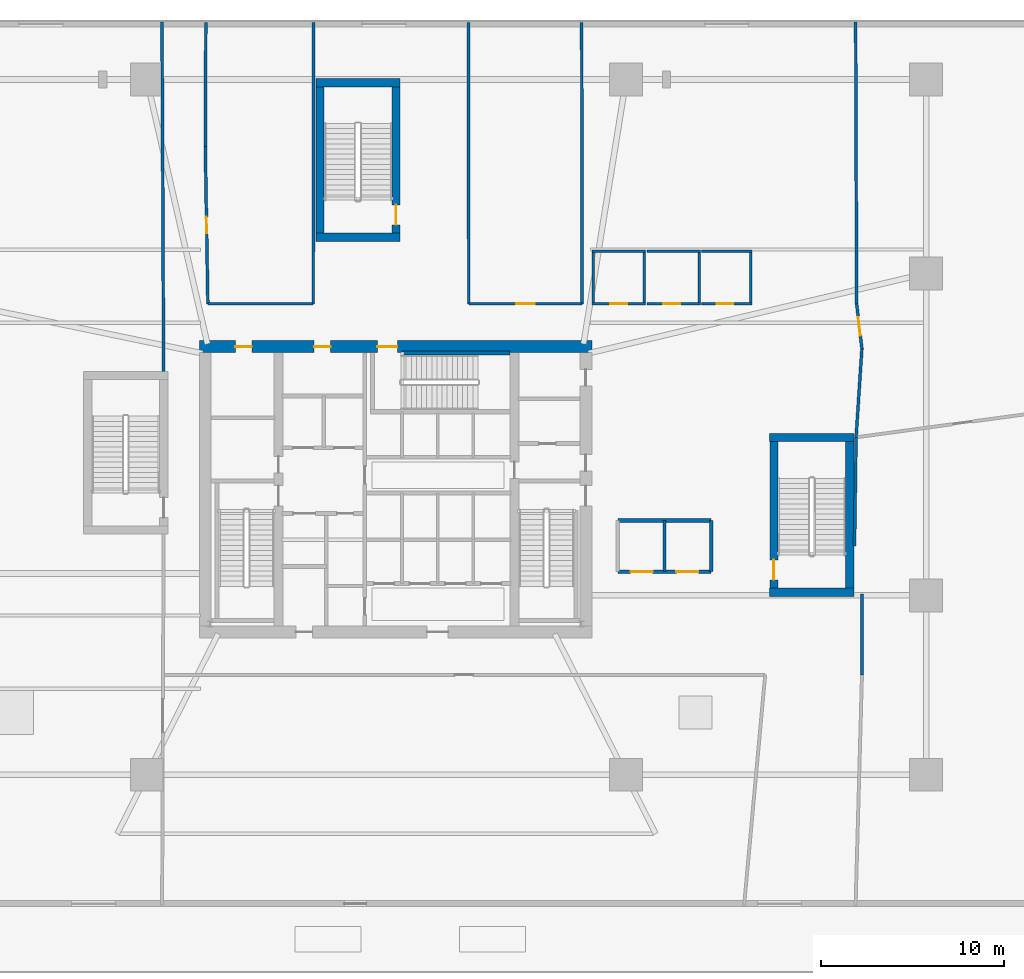
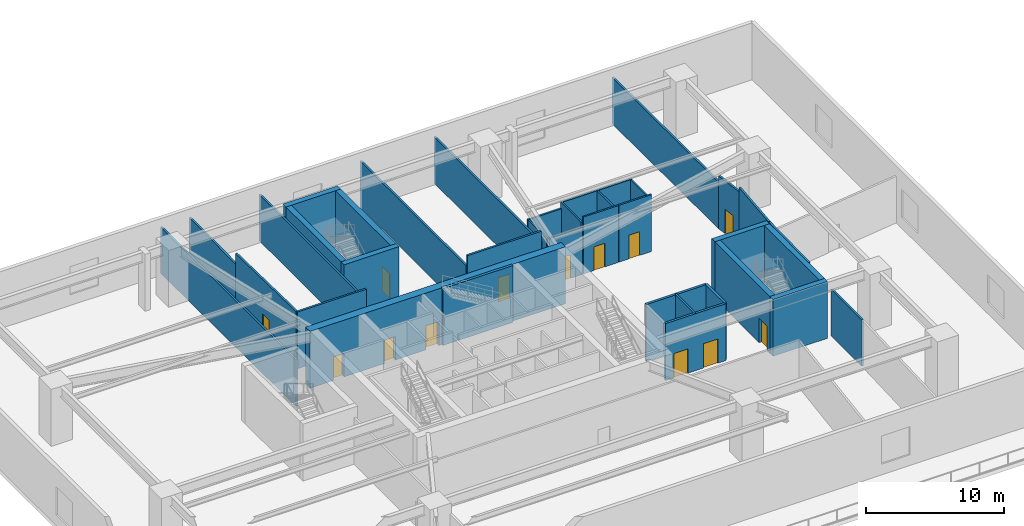
# One storey, part 6 of 11: 37 walls, 13 doors, 13 openings.
"""IFC4 building model written with IfcOpenShell, lengths in metres."""

from ifc_helpers import new_model, si_unit, direction, frame, frame_2d, origin, place, context, subcontext, project, spatial, rectangle, extrude, material, layer, layer_set, type_object, element, fill, save


model = new_model("IFC4")

# Units and contexts
model_context = context("Model", 3, precision=1e-05, world=origin(), true_north=direction((0.0, 1.0)))
body_context = subcontext(model_context, "Body", "Model", "MODEL_VIEW")
ifc_project = project(units=[si_unit("LENGTHUNIT", "METRE"), si_unit("AREAUNIT", "SQUARE_METRE"), si_unit("VOLUMEUNIT", "CUBIC_METRE"), si_unit("PLANEANGLEUNIT", "RADIAN"), si_unit("MASSUNIT", "GRAM", prefix="KILO")], contexts=[model_context])

# Site, building, storey
site_placement = place(None, origin())
site = spatial("IfcSite", under=ifc_project, at=site_placement, CompositionType="ELEMENT")
building_placement = place(site_placement, origin())
building = spatial("IfcBuilding", under=site, at=building_placement, Name="Qarnah Convention Tower", CompositionType="ELEMENT")
storey_placement = place(building_placement, frame((0.0, 0.0, 5.39990234375)))
storey = spatial("IfcBuildingStorey", under=building, at=storey_placement, Name="L01", CompositionType="ELEMENT", Elevation=5.39990234375)

# Wall, openings, doors
ifc_material_1 = material(Name="Concrete C60/75", Category="concrete")
ifc_layer_1 = layer(ifc_material_1, 0.64990234375)
ifc_layer_set_1 = layer_set([ifc_layer_1], Name="Concrete C60/75")
wall_type_1 = type_object("IfcWallType", Name="WL-CORE-650", PredefinedType="SHEAR", material=ifc_layer_set_1)
wall_1_placement = place(storey_placement, frame((26.47509765625, 34.199951171875, 0.0), z_axis=(0.0, 0.0, 1.0), x_axis=(1.0, 0.0, 0.0)))
wall_1 = element("IfcWall", 1, at=wall_1_placement, inside=storey, type_object=wall_type_1, Name="L01 core north shear wall", PredefinedType="SHEAR", context=body_context, shape_type="SweptSolid", body=[
    extrude(rectangle(XDim=21.449951171875, YDim=0.64990234375, at=frame_2d((10.72509765625, 0.0))), origin(), (0.0, 0.0, 1.0), 5.050048828125),
])
opening_1_placement = place(wall_1_placement, frame((9.72509765625, 0.0, 0.0)))
opening_1 = element("IfcOpeningElement", 2, at=opening_1_placement, cuts=wall_1, Name="Opening D-0103", PredefinedType="OPENING", context=body_context, shape_type="SweptSolid", body=[
    extrude(rectangle(XDim=1.10009765625, YDim=2.14990234375, at=frame_2d((0.550048828125, 1.074951171875))), frame((0.0, 0.3349609375, 0.0), z_axis=(0.0, -1.0, 0.0), x_axis=(1.0, 0.0, 0.0)), (0.0, 0.0, 1.0), 0.669921875),
])
opening_2_placement = place(wall_1_placement, frame((1.97509765625, 0.0, 0.0)))
opening_2 = element("IfcOpeningElement", 3, at=opening_2_placement, cuts=wall_1, Name="Opening D-0109", PredefinedType="OPENING", context=body_context, shape_type="SweptSolid", body=[
    extrude(rectangle(XDim=0.89990234375, YDim=2.10009765625, at=frame_2d((0.449951171875, 1.050048828125))), frame((0.0, 0.3349609375, 0.0), z_axis=(0.0, -1.0, 0.0), x_axis=(1.0, 0.0, 0.0)), (0.0, 0.0, 1.0), 0.669921875),
])
opening_3_placement = place(wall_1_placement, frame((6.27490234375, 0.0, 0.0)))
opening_3 = element("IfcOpeningElement", 4, at=opening_3_placement, cuts=wall_1, Name="Opening D-0110", PredefinedType="OPENING", context=body_context, shape_type="SweptSolid", body=[
    extrude(rectangle(XDim=0.89990234375, YDim=2.10009765625, at=frame_2d((0.449951171875, 1.050048828125))), frame((0.0, 0.3349609375, 0.0), z_axis=(0.0, -1.0, 0.0), x_axis=(1.0, 0.0, 0.0)), (0.0, 0.0, 1.0), 0.669921875),
])
ifc_material_2 = material(Name="Structural steel S355JR", Category="steel")
door_type_1 = type_object("IfcDoorType", Name="DT-RISER-900", OperationType="NOTDEFINED", PredefinedType="DOOR", material=ifc_material_2)
door_1_placement = place(opening_2_placement, origin())
door_1 = element("IfcDoor", 5, at=door_1_placement, inside=storey, type_object=door_type_1, Name="Door D-0109", OperationType="SINGLE_SWING_RIGHT", OverallHeight=2.10009765625, OverallWidth=0.89990234375, PredefinedType="DOOR", context=body_context, shape_type="SweptSolid", body=[
    extrude(rectangle(XDim=0.89990234375, YDim=2.10009765625, at=frame_2d((0.449951171875, 1.050048828125))), frame((0.0, 0.02490234375, 0.0), z_axis=(0.0, -1.0, 0.0), x_axis=(1.0, 0.0, 0.0)), (0.0, 0.0, 1.0), 0.050048828125),
])
fill(opening_2, door_1)
door_2_placement = place(opening_3_placement, origin())
door_2 = element("IfcDoor", 6, at=door_2_placement, inside=storey, type_object=door_type_1, Name="Door D-0110", OperationType="SINGLE_SWING_LEFT", OverallHeight=2.10009765625, OverallWidth=0.89990234375, PredefinedType="DOOR", context=body_context, shape_type="SweptSolid", body=[
    extrude(rectangle(XDim=0.89990234375, YDim=2.10009765625, at=frame_2d((0.449951171875, 1.050048828125))), frame((0.0, 0.02490234375, 0.0), z_axis=(0.0, -1.0, 0.0), x_axis=(1.0, 0.0, 0.0)), (0.0, 0.0, 1.0), 0.050048828125),
])
fill(opening_3, door_2)
door_type_2 = type_object("IfcDoorType", Name="DT-STAIR-1100", OperationType="NOTDEFINED", PredefinedType="DOOR", material=ifc_material_2)
door_3_placement = place(opening_1_placement, origin())
door_3 = element("IfcDoor", 7, at=door_3_placement, inside=storey, type_object=door_type_2, Name="Door D-0103", OperationType="SINGLE_SWING_RIGHT", OverallHeight=2.14990234375, OverallWidth=1.10009765625, PredefinedType="DOOR", context=body_context, shape_type="SweptSolid", body=[
    extrude(rectangle(XDim=1.10009765625, YDim=2.14990234375, at=frame_2d((0.550048828125, 1.074951171875))), frame((0.0, 0.02490234375, 0.0), z_axis=(0.0, -1.0, 0.0), x_axis=(1.0, 0.0, 0.0)), (0.0, 0.0, 1.0), 0.050048828125),
])
fill(opening_1, door_3)

# Wall
ifc_material_3 = material(Name="Concrete C45/55", Category="concrete")
ifc_layer_2 = layer(ifc_material_3, 0.199951171875)
ifc_layer_set_2 = layer_set([ifc_layer_2], Name="Concrete C45/55")
wall_type_2 = type_object("IfcWallType", Name="WL-CORE-PART-200", PredefinedType="SOLIDWALL", material=ifc_layer_set_2)
wall_2_placement = place(storey_placement, frame((49.35009765625, 24.699951171875, 0.0), z_axis=(0.0, 0.0, 1.0), x_axis=(1.0, 0.0, 0.0)))
element("IfcWall", 8, at=wall_2_placement, inside=storey, type_object=wall_type_2, Name="L01 interior wall IW-L01-PSN", PredefinedType="SOLIDWALL", context=body_context, shape_type="SweptSolid", body=[
    extrude(rectangle(XDim=5.099853515625, YDim=0.199951171875, at=frame_2d((2.5498046875, 0.0))), origin(), (0.0, 0.0, 1.0), 5.050048828125),
])

# Wall, openings, doors
wall_3_placement = place(storey_placement, frame((49.35009765625, 21.89990234375, 0.0), z_axis=(0.0, 0.0, 1.0), x_axis=(1.0, 0.0, 0.0)))
wall_3 = element("IfcWall", 9, at=wall_3_placement, inside=storey, type_object=wall_type_2, Name="L01 interior wall IW-L01-PSS", PredefinedType="SOLIDWALL", context=body_context, shape_type="SweptSolid", body=[
    extrude(rectangle(XDim=5.099853515625, YDim=0.199951171875, at=frame_2d((2.5498046875, 0.0))), origin(), (0.0, 0.0, 1.0), 5.050048828125),
])
opening_4_placement = place(wall_3_placement, frame((0.699951171875, 0.0, 0.0)))
opening_4 = element("IfcOpeningElement", 10, at=opening_4_placement, cuts=wall_3, Name="Opening LD-0108", PredefinedType="OPENING", context=body_context, shape_type="SweptSolid", body=[
    extrude(rectangle(XDim=1.199951171875, YDim=2.14990234375, at=frame_2d((0.60009765625, 1.074951171875))), frame((0.0, 0.10986328125, 0.0), z_axis=(0.0, -1.0, 0.0), x_axis=(1.0, 0.0, 0.0)), (0.0, 0.0, 1.0), 0.219970703125),
])
opening_5_placement = place(wall_3_placement, frame((3.199951171875, 0.0, 0.0)))
opening_5 = element("IfcOpeningElement", 11, at=opening_5_placement, cuts=wall_3, Name="Opening LD-0109", PredefinedType="OPENING", context=body_context, shape_type="SweptSolid", body=[
    extrude(rectangle(XDim=1.199951171875, YDim=2.14990234375, at=frame_2d((0.60009765625, 1.074951171875))), frame((0.0, 0.10986328125, 0.0), z_axis=(0.0, -1.0, 0.0), x_axis=(1.0, 0.0, 0.0)), (0.0, 0.0, 1.0), 0.219970703125),
])
door_type_3 = type_object("IfcDoorType", Name="DT-LIFT-1200", OperationType="SLIDING_TO_LEFT", PredefinedType="DOOR", material=ifc_material_2)
door_4_placement = place(opening_4_placement, origin())
door_4 = element("IfcDoor", 12, at=door_4_placement, inside=storey, type_object=door_type_3, Name="Door LD-0108", OperationType="SLIDING_TO_LEFT", OverallHeight=2.14990234375, OverallWidth=1.199951171875, PredefinedType="DOOR", context=body_context, shape_type="SweptSolid", body=[
    extrude(rectangle(XDim=1.199951171875, YDim=2.14990234375, at=frame_2d((0.60009765625, 1.074951171875))), frame((0.0, 0.02490234375, 0.0), z_axis=(0.0, -1.0, 0.0), x_axis=(1.0, 0.0, 0.0)), (0.0, 0.0, 1.0), 0.050048828125),
])
fill(opening_4, door_4)
door_5_placement = place(opening_5_placement, origin())
door_5 = element("IfcDoor", 13, at=door_5_placement, inside=storey, type_object=door_type_3, Name="Door LD-0109", OperationType="SLIDING_TO_LEFT", OverallHeight=2.14990234375, OverallWidth=1.199951171875, PredefinedType="DOOR", context=body_context, shape_type="SweptSolid", body=[
    extrude(rectangle(XDim=1.199951171875, YDim=2.14990234375, at=frame_2d((0.60009765625, 1.074951171875))), frame((0.0, 0.02490234375, 0.0), z_axis=(0.0, -1.0, 0.0), x_axis=(1.0, 0.0, 0.0)), (0.0, 0.0, 1.0), 0.050048828125),
])
fill(opening_5, door_5)

# Walls
wall_4_placement = place(storey_placement, frame((54.449951171875, 21.89990234375, 0.0), z_axis=(0.0, 0.0, 1.0), x_axis=(0.0, 1.0, 0.0)))
element("IfcWall", 14, at=wall_4_placement, inside=storey, type_object=wall_type_2, Name="L01 interior wall IW-L01-PSE", PredefinedType="SOLIDWALL", context=body_context, shape_type="SweptSolid", body=[
    extrude(rectangle(XDim=2.800048828125, YDim=0.199951171875, at=frame_2d((1.39990234375, 0.0))), origin(), (0.0, 0.0, 1.0), 5.050048828125),
])
ifc_layer_3 = layer(ifc_material_1, 0.219970703125)
ifc_layer_set_3 = layer_set([ifc_layer_3], Name="Concrete C60/75")
wall_type_3 = type_object("IfcWallType", Name="WL-CORE-STAIR-220", PredefinedType="SHEAR", material=ifc_layer_set_3)
wall_5_placement = place(storey_placement, frame((37.550048828125, 33.840087890625, 0.0), z_axis=(0.0, 0.0, 1.0), x_axis=(1.0, 0.0, 0.0)))
element("IfcWall", 15, at=wall_5_placement, inside=storey, type_object=wall_type_3, Name="L01 stair shaft shear wall SW-L01-ST3N", PredefinedType="SHEAR", context=body_context, shape_type="SweptSolid", body=[
    extrude(rectangle(XDim=5.89990234375, YDim=0.219970703125, at=frame_2d((2.949951171875, 0.0))), origin(), (0.0, 0.0, 1.0), 5.050048828125),
])
ifc_material_4 = material(Name="Gypsum partition board")
ifc_layer_4 = layer(ifc_material_4, 0.159912109375)
ifc_layer_set_4 = layer_set([ifc_layer_4], Name="Gypsum partition board")
wall_type_4 = type_object("IfcWallType", Name="WL-CORR-160", PredefinedType="PARTITIONING", material=ifc_layer_set_4)
wall_6_placement = place(storey_placement, frame((24.52490234375, 32.39990234375, 0.0), z_axis=(0.0, 0.0, 1.0), x_axis=(-0.004550692375, 0.999989645546, 0.0)))
element("IfcWall", 16, at=wall_6_placement, inside=storey, type_object=wall_type_4, Name="L01 interior wall IW-L01-R-12", PredefinedType="PARTITIONING", context=body_context, shape_type="SweptSolid", body=[
    extrude(rectangle(XDim=19.5283203125, YDim=0.159912109375, at=frame_2d((9.76416015625, 0.0))), origin(), (0.0, 0.0, 1.0), 4.123046875),
])
wall_7_placement = place(storey_placement, frame((62.366943359375, 29.240966796875, 0.0), z_axis=(0.0, 0.0, 1.0), x_axis=(-0.013825270041, -0.999904426387, 0.0)))
element("IfcWall", 17, at=wall_7_placement, inside=storey, type_object=wall_type_4, Name="L01 interior wall IW-L01-R-16", PredefinedType="PARTITIONING", context=body_context, shape_type="SweptSolid", body=[
    extrude(rectangle(XDim=5.933349609375, YDim=0.159912109375, at=frame_2d((2.966796875, 0.0))), origin(), (0.0, 0.0, 1.0), 5.050048828125),
])
wall_8_placement = place(storey_placement, frame((62.68994140625, 20.68994140625, 0.0), z_axis=(0.0, 0.0, 1.0), x_axis=(0.0, -1.0, 0.0)))
element("IfcWall", 18, at=wall_8_placement, inside=storey, type_object=wall_type_4, Name="L01 interior wall IW-L01-R-17", PredefinedType="PARTITIONING", context=body_context, shape_type="SweptSolid", body=[
    extrude(rectangle(XDim=4.429931640625, YDim=0.159912109375, at=frame_2d((2.21484375, 0.0))), origin(), (0.0, 0.0, 1.0), 4.135009765625),
])
wall_9_placement = place(storey_placement, frame((62.343994140625, 51.943115234375, 0.0), z_axis=(0.0, 0.0, 1.0), x_axis=(0.003629653858, -0.999993412785, 0.0)))
element("IfcWall", 19, at=wall_9_placement, inside=storey, type_object=wall_type_4, Name="L01 interior wall IW-L01-R-19", PredefinedType="PARTITIONING", context=body_context, shape_type="SweptSolid", body=[
    extrude(rectangle(XDim=15.403076171875, YDim=0.159912109375, at=frame_2d((7.70166015625, 0.0))), origin(), (0.0, 0.0, 1.0), 4.123046875),
])

# Wall, opening, door
wall_10_placement = place(storey_placement, frame((62.39990234375, 36.5400390625, 0.0), z_axis=(0.0, 0.0, 1.0), x_axis=(0.116160443909, -0.993230462315, 0.0)))
wall_10 = element("IfcWall", 20, at=wall_10_placement, inside=storey, type_object=wall_type_4, Name="L01 interior wall IW-L01-R-20", PredefinedType="PARTITIONING", context=body_context, shape_type="SweptSolid", body=[
    extrude(rectangle(XDim=2.496826171875, YDim=0.159912109375, at=frame_2d((1.24853515625, 0.0))), origin(), (0.0, 0.0, 1.0), 4.67919921875),
])
opening_6_placement = place(wall_10_placement, frame((0.748046875, 0.0, 0.0)))
opening_6 = element("IfcOpeningElement", 21, at=opening_6_placement, cuts=wall_10, Name="Opening D-0125", PredefinedType="OPENING", context=body_context, shape_type="SweptSolid", body=[
    extrude(rectangle(XDim=1.0, YDim=2.14990234375, at=frame_2d((0.5, 1.074951171875))), frame((0.0, 0.08984375, 0.0), z_axis=(0.0, -1.0, 0.0), x_axis=(1.0, 0.0, 0.0)), (0.0, 0.0, 1.0), 0.179931640625),
])
ifc_material_5 = material(Name="Oak timber veneer", Category="wood")
door_type_4 = type_object("IfcDoorType", Name="DT-OFFICE-1000", OperationType="NOTDEFINED", PredefinedType="DOOR", material=ifc_material_5)
door_6_placement = place(opening_6_placement, origin())
door_6 = element("IfcDoor", 22, at=door_6_placement, inside=storey, type_object=door_type_4, Name="Door D-0125", OperationType="SINGLE_SWING_LEFT", OverallHeight=2.14990234375, OverallWidth=1.0, PredefinedType="DOOR", context=body_context, shape_type="SweptSolid", body=[
    extrude(rectangle(XDim=1.0, YDim=2.14990234375, at=frame_2d((0.5, 1.074951171875))), frame((0.0, 0.02490234375, 0.0), z_axis=(0.0, -1.0, 0.0), x_axis=(1.0, 0.0, 0.0)), (0.0, 0.0, 1.0), 0.050048828125),
])
fill(opening_6, door_6)

# Walls
wall_11_placement = place(storey_placement, frame((62.68603515625, 34.093017578125, 0.0), z_axis=(0.0, 0.0, 1.0), x_axis=(-0.065222606915, -0.997870738897, 0.0)))
element("IfcWall", 23, at=wall_11_placement, inside=storey, type_object=wall_type_4, Name="L01 interior wall IW-L01-R-21", PredefinedType="PARTITIONING", context=body_context, shape_type="SweptSolid", body=[
    extrude(rectangle(XDim=4.8623046875, YDim=0.159912109375, at=frame_2d((2.43115234375, 0.0))), origin(), (0.0, 0.0, 1.0), 5.050048828125),
])
wall_12_placement = place(storey_placement, frame((41.18798828125, 51.9208984375, 0.0), z_axis=(0.0, 0.0, 1.0), x_axis=(0.000777777543, -0.999999697531, 0.0)))
element("IfcWall", 24, at=wall_12_placement, inside=storey, type_object=wall_type_4, Name="L01 interior wall IW-L01-R-22", PredefinedType="PARTITIONING", context=body_context, shape_type="SweptSolid", body=[
    extrude(rectangle(XDim=15.380859375, YDim=0.159912109375, at=frame_2d((7.6904296875, 0.0))), origin(), (0.0, 0.0, 1.0), 4.123046875),
])

# Wall, opening, door
wall_13_placement = place(storey_placement, frame((41.199951171875, 36.5400390625, 0.0), z_axis=(0.0, 0.0, 1.0), x_axis=(1.0, 0.0, 0.0)))
wall_13 = element("IfcWall", 25, at=wall_13_placement, inside=storey, type_object=wall_type_4, Name="L01 interior wall IW-L01-R-23", PredefinedType="PARTITIONING", context=body_context, shape_type="SweptSolid", body=[
    extrude(rectangle(XDim=6.199951171875, YDim=0.159912109375, at=frame_2d((3.10009765625, 0.0))), origin(), (0.0, 0.0, 1.0), 5.050048828125),
])
opening_7_placement = place(wall_13_placement, frame((2.60009765625, 0.0, 0.0)))
opening_7 = element("IfcOpeningElement", 26, at=opening_7_placement, cuts=wall_13, Name="Opening D-0126", PredefinedType="OPENING", context=body_context, shape_type="SweptSolid", body=[
    extrude(rectangle(XDim=1.0, YDim=2.14990234375, at=frame_2d((0.5, 1.074951171875))), frame((0.0, 0.08984375, 0.0), z_axis=(0.0, -1.0, 0.0), x_axis=(1.0, 0.0, 0.0)), (0.0, 0.0, 1.0), 0.179931640625),
])
door_7_placement = place(opening_7_placement, origin())
door_7 = element("IfcDoor", 27, at=door_7_placement, inside=storey, type_object=door_type_4, Name="Door D-0126", OperationType="SINGLE_SWING_RIGHT", OverallHeight=2.14990234375, OverallWidth=1.0, PredefinedType="DOOR", context=body_context, shape_type="SweptSolid", body=[
    extrude(rectangle(XDim=1.0, YDim=2.14990234375, at=frame_2d((0.5, 1.074951171875))), frame((0.0, 0.02490234375, 0.0), z_axis=(0.0, -1.0, 0.0), x_axis=(1.0, 0.0, 0.0)), (0.0, 0.0, 1.0), 0.050048828125),
])
fill(opening_7, door_7)

# Walls
wall_14_placement = place(storey_placement, frame((47.39990234375, 36.5400390625, 0.0), z_axis=(0.0, 0.0, 1.0), x_axis=(-0.001935859022, 0.999998126223, 0.0)))
element("IfcWall", 28, at=wall_14_placement, inside=storey, type_object=wall_type_4, Name="L01 interior wall IW-L01-R-24", PredefinedType="PARTITIONING", context=body_context, shape_type="SweptSolid", body=[
    extrude(rectangle(XDim=15.385986328125, YDim=0.159912109375, at=frame_2d((7.69287109375, 0.0))), origin(), (0.0, 0.0, 1.0), 4.123046875),
])
wall_15_placement = place(storey_placement, frame((26.830078125, 51.926025390625, 0.0), z_axis=(0.0, 0.0, 1.0), x_axis=(-0.004425053812, -0.999990209401, 0.0)))
element("IfcWall", 29, at=wall_15_placement, inside=storey, type_object=wall_type_4, Name="L01 interior wall IW-L01-R-25", PredefinedType="PARTITIONING", context=body_context, shape_type="SweptSolid", body=[
    extrude(rectangle(XDim=6.7861328125, YDim=0.159912109375, at=frame_2d((3.39306640625, 0.0))), origin(), (0.0, 0.0, 1.0), 4.123046875),
])

# Wall, opening, door
wall_16_placement = place(storey_placement, frame((26.800048828125, 45.139892578125, 0.0), z_axis=(0.0, 0.0, 1.0), x_axis=(0.016264704162, -0.99986772095, 0.0)))
wall_16 = element("IfcWall", 30, at=wall_16_placement, inside=storey, type_object=wall_type_4, Name="L01 interior wall IW-L01-R-26", PredefinedType="PARTITIONING", context=body_context, shape_type="SweptSolid", body=[
    extrude(rectangle(XDim=8.60107421875, YDim=0.159912109375, at=frame_2d((4.300537109375, 0.0))), origin(), (0.0, 0.0, 1.0), 5.050048828125),
])
opening_8_placement = place(wall_16_placement, frame((3.85107421875, 0.0, 0.0)))
opening_8 = element("IfcOpeningElement", 31, at=opening_8_placement, cuts=wall_16, Name="Opening D-0127", PredefinedType="OPENING", context=body_context, shape_type="SweptSolid", body=[
    extrude(rectangle(XDim=0.89990234375, YDim=2.0, at=frame_2d((0.449951171875, 1.0))), frame((0.0, 0.08984375, 0.0), z_axis=(0.0, -1.0, 0.0), x_axis=(1.0, 0.0, 0.0)), (0.0, 0.0, 1.0), 0.179931640625),
])
door_type_5 = type_object("IfcDoorType", Name="DT-PLANT-900", OperationType="NOTDEFINED", PredefinedType="DOOR", material=ifc_material_2)
door_8_placement = place(opening_8_placement, origin())
door_8 = element("IfcDoor", 32, at=door_8_placement, inside=storey, type_object=door_type_5, Name="Door D-0127", OperationType="SINGLE_SWING_LEFT", OverallHeight=2.0, OverallWidth=0.89990234375, PredefinedType="DOOR", context=body_context, shape_type="SweptSolid", body=[
    extrude(rectangle(XDim=0.89990234375, YDim=2.0, at=frame_2d((0.449951171875, 1.0))), frame((0.0, 0.02490234375, 0.0), z_axis=(0.0, -1.0, 0.0), x_axis=(1.0, 0.0, 0.0)), (0.0, 0.0, 1.0), 0.050048828125),
])
fill(opening_8, door_8)

# Walls
wall_17_placement = place(storey_placement, frame((26.93994140625, 36.5400390625, 0.0), z_axis=(0.0, 0.0, 1.0), x_axis=(1.0, 0.0, 0.0)))
element("IfcWall", 33, at=wall_17_placement, inside=storey, type_object=wall_type_4, Name="L01 interior wall IW-L01-R-27", PredefinedType="PARTITIONING", context=body_context, shape_type="SweptSolid", body=[
    extrude(rectangle(XDim=5.760009765625, YDim=0.159912109375, at=frame_2d((2.8798828125, 0.0))), origin(), (0.0, 0.0, 1.0), 5.050048828125),
])
wall_18_placement = place(storey_placement, frame((32.699951171875, 36.5400390625, 0.0), z_axis=(0.0, 0.0, 1.0), x_axis=(0.00092063453, 0.999999576216, 0.0)))
element("IfcWall", 34, at=wall_18_placement, inside=storey, type_object=wall_type_4, Name="L01 interior wall IW-L01-R-28", PredefinedType="PARTITIONING", context=body_context, shape_type="SweptSolid", body=[
    extrude(rectangle(XDim=15.380859375, YDim=0.159912109375, at=frame_2d((7.6904296875, 0.0))), origin(), (0.0, 0.0, 1.0), 4.123046875),
])
ifc_layer_5 = layer(ifc_material_1, 0.449951171875)
ifc_layer_set_5 = layer_set([ifc_layer_5], Name="Concrete C60/75")
wall_type_5 = type_object("IfcWallType", Name="WL-POD-CORE-450", PredefinedType="SHEAR", material=ifc_layer_set_5)
for number, where, z_axis, x_axis, name in (
    (35, (57.64990234375, 20.77490234375, 0.0), (0.0, 0.0, 1.0), (1.0, 0.0, 0.0), "L01 podium stair ST-4 south wall"),
    (36, (57.64990234375, 29.22509765625, 0.0), (0.0, 0.0, 1.0), (1.0, 0.0, 0.0), "L01 podium stair ST-4 north wall"),
):
    element("IfcWall", number, at=place(storey_placement, frame(where, z_axis=z_axis, x_axis=x_axis)), inside=storey, type_object=wall_type_5, Name=name, PredefinedType="SHEAR", context=body_context, shape_type="SweptSolid", body=[
        extrude(rectangle(XDim=4.60009765625, YDim=0.449951171875, at=frame_2d((2.300048828125, 0.0))), origin(), (0.0, 0.0, 1.0), 5.050048828125),
    ])

# Wall, opening, door
wall_19_placement = place(storey_placement, frame((57.875, 21.0, 0.0), z_axis=(0.0, 0.0, 1.0), x_axis=(0.0, 1.0, 0.0)))
wall_19 = element("IfcWall", 37, at=wall_19_placement, inside=storey, type_object=wall_type_5, Name="L01 podium stair ST-4 west wall", PredefinedType="SHEAR", context=body_context, shape_type="SweptSolid", body=[
    extrude(rectangle(XDim=8.0, YDim=0.449951171875, at=frame_2d((4.0, 0.0))), origin(), (0.0, 0.0, 1.0), 5.050048828125),
])
opening_9_placement = place(wall_19_placement, frame((0.449951171875, 0.0, 0.0)))
opening_9 = element("IfcOpeningElement", 38, at=opening_9_placement, cuts=wall_19, Name="Opening D-0116", PredefinedType="OPENING", context=body_context, shape_type="SweptSolid", body=[
    extrude(rectangle(XDim=1.10009765625, YDim=2.14990234375, at=frame_2d((0.550048828125, 1.074951171875))), frame((0.0, 0.23486328125, 0.0), z_axis=(0.0, -1.0, 0.0), x_axis=(1.0, 0.0, 0.0)), (0.0, 0.0, 1.0), 0.469970703125),
])
door_9_placement = place(opening_9_placement, origin())
door_9 = element("IfcDoor", 39, at=door_9_placement, inside=storey, type_object=door_type_2, Name="Door D-0116", OperationType="SINGLE_SWING_LEFT", OverallHeight=2.14990234375, OverallWidth=1.10009765625, PredefinedType="DOOR", context=body_context, shape_type="SweptSolid", body=[
    extrude(rectangle(XDim=1.10009765625, YDim=2.14990234375, at=frame_2d((0.550048828125, 1.074951171875))), frame((0.0, 0.02490234375, 0.0), z_axis=(0.0, -1.0, 0.0), x_axis=(1.0, 0.0, 0.0)), (0.0, 0.0, 1.0), 0.050048828125),
])
fill(opening_9, door_9)

# Walls
wall_20_placement = place(storey_placement, frame((62.02490234375, 21.0, 0.0), z_axis=(0.0, 0.0, 1.0), x_axis=(0.0, 1.0, 0.0)))
element("IfcWall", 40, at=wall_20_placement, inside=storey, type_object=wall_type_5, Name="L01 podium stair ST-4 east wall", PredefinedType="SHEAR", context=body_context, shape_type="SweptSolid", body=[
    extrude(rectangle(XDim=8.0, YDim=0.449951171875, at=frame_2d((4.0, 0.0))), origin(), (0.0, 0.0, 1.0), 5.050048828125),
])
for number, where, z_axis, x_axis, name in (
    (41, (32.85009765625, 40.175048828125, 0.0), (0.0, 0.0, 1.0), (1.0, 0.0, 0.0), "L01 podium stair ST-6 south wall"),
    (42, (32.85009765625, 48.625, 0.0), (0.0, 0.0, 1.0), (1.0, 0.0, 0.0), "L01 podium stair ST-6 north wall"),
):
    element("IfcWall", number, at=place(storey_placement, frame(where, z_axis=z_axis, x_axis=x_axis)), inside=storey, type_object=wall_type_5, Name=name, PredefinedType="SHEAR", context=body_context, shape_type="SweptSolid", body=[
        extrude(rectangle(XDim=4.599853515625, YDim=0.449951171875, at=frame_2d((2.2998046875, 0.0))), origin(), (0.0, 0.0, 1.0), 5.050048828125),
    ])
wall_21_placement = place(storey_placement, frame((33.074951171875, 40.39990234375, 0.0), z_axis=(0.0, 0.0, 1.0), x_axis=(0.0, 1.0, 0.0)))
element("IfcWall", 43, at=wall_21_placement, inside=storey, type_object=wall_type_5, Name="L01 podium stair ST-6 west wall", PredefinedType="SHEAR", context=body_context, shape_type="SweptSolid", body=[
    extrude(rectangle(XDim=8.0, YDim=0.449951171875, at=frame_2d((4.0, 0.0))), origin(), (0.0, 0.0, 1.0), 5.050048828125),
])

# Wall, opening, door
wall_22_placement = place(storey_placement, frame((37.22509765625, 40.39990234375, 0.0), z_axis=(0.0, 0.0, 1.0), x_axis=(0.0, 1.0, 0.0)))
wall_22 = element("IfcWall", 44, at=wall_22_placement, inside=storey, type_object=wall_type_5, Name="L01 podium stair ST-6 east wall", PredefinedType="SHEAR", context=body_context, shape_type="SweptSolid", body=[
    extrude(rectangle(XDim=8.0, YDim=0.449951171875, at=frame_2d((4.0, 0.0))), origin(), (0.0, 0.0, 1.0), 5.050048828125),
])
opening_10_placement = place(wall_22_placement, frame((0.449951171875, 0.0, 0.0)))
opening_10 = element("IfcOpeningElement", 45, at=opening_10_placement, cuts=wall_22, Name="Opening D-0118", PredefinedType="OPENING", context=body_context, shape_type="SweptSolid", body=[
    extrude(rectangle(XDim=1.10009765625, YDim=2.14990234375, at=frame_2d((0.550048828125, 1.074951171875))), frame((0.0, 0.23486328125, 0.0), z_axis=(0.0, -1.0, 0.0), x_axis=(1.0, 0.0, 0.0)), (0.0, 0.0, 1.0), 0.469970703125),
])
door_10_placement = place(opening_10_placement, origin())
door_10 = element("IfcDoor", 46, at=door_10_placement, inside=storey, type_object=door_type_2, Name="Door D-0118", OperationType="SINGLE_SWING_LEFT", OverallHeight=2.14990234375, OverallWidth=1.10009765625, PredefinedType="DOOR", context=body_context, shape_type="SweptSolid", body=[
    extrude(rectangle(XDim=1.10009765625, YDim=2.14990234375, at=frame_2d((0.550048828125, 1.074951171875))), frame((0.0, 0.02490234375, 0.0), z_axis=(0.0, -1.0, 0.0), x_axis=(1.0, 0.0, 0.0)), (0.0, 0.0, 1.0), 0.050048828125),
])
fill(opening_10, door_10)

# Wall
ifc_layer_6 = layer(ifc_material_4, 0.14990234375)
ifc_layer_set_6 = layer_set([ifc_layer_6], Name="Gypsum partition board")
wall_type_6 = type_object("IfcWallType", Name="WL-SUITE-150", PredefinedType="PARTITIONING", material=ifc_layer_set_6)
wall_23_placement = place(storey_placement, frame((51.89990234375, 21.89990234375, 0.0), z_axis=(0.0, 0.0, 1.0), x_axis=(0.0, 1.0, 0.0)))
element("IfcWall", 47, at=wall_23_placement, inside=storey, type_object=wall_type_6, Name="L01 interior wall IW-L01-PSM", PredefinedType="PARTITIONING", context=body_context, shape_type="SweptSolid", body=[
    extrude(rectangle(XDim=2.800048828125, YDim=0.14990234375, at=frame_2d((1.39990234375, 0.0))), origin(), (0.0, 0.0, 1.0), 5.050048828125),
])

# Wall, opening, door
ifc_layer_7 = layer(ifc_material_4, 0.139892578125)
ifc_layer_set_7 = layer_set([ifc_layer_7], Name="Gypsum partition board")
wall_type_7 = type_object("IfcWallType", Name="WL-WET-140", PredefinedType="PARTITIONING", material=ifc_layer_set_7)
wall_24_placement = place(storey_placement, frame((47.929931640625, 36.550048828125, 0.0), z_axis=(0.0, 0.0, 1.0), x_axis=(1.0, 0.0, 0.0)))
wall_24 = element("IfcWall", 48, at=wall_24_placement, inside=storey, type_object=wall_type_7, Name="L01 interior wall IW-L01-WCM-1", PredefinedType="PARTITIONING", context=body_context, shape_type="SweptSolid", body=[
    extrude(rectangle(XDim=2.940185546875, YDim=0.139892578125, at=frame_2d((1.47021484375, 0.0))), origin(), (0.0, 0.0, 1.0), 4.135009765625),
])
opening_11_placement = place(wall_24_placement, frame((1.010009765625, 0.0, 0.0)))
opening_11 = element("IfcOpeningElement", 49, at=opening_11_placement, cuts=wall_24, Name="Opening D-0119", PredefinedType="OPENING", context=body_context, shape_type="SweptSolid", body=[
    extrude(rectangle(XDim=0.919921875, YDim=2.10009765625, at=frame_2d((0.4599609375, 1.050048828125))), frame((0.0, 0.079833984375, 0.0), z_axis=(0.0, -1.0, 0.0), x_axis=(1.0, 0.0, 0.0)), (0.0, 0.0, 1.0), 0.159912109375),
])
door_type_6 = type_object("IfcDoorType", Name="DT-WC-920", OperationType="NOTDEFINED", PredefinedType="DOOR", material=ifc_material_5)
door_11_placement = place(opening_11_placement, origin())
door_11 = element("IfcDoor", 50, at=door_11_placement, inside=storey, type_object=door_type_6, Name="Door D-0119", OperationType="SINGLE_SWING_RIGHT", OverallHeight=2.10009765625, OverallWidth=0.919921875, PredefinedType="DOOR", context=body_context, shape_type="SweptSolid", body=[
    extrude(rectangle(XDim=0.919921875, YDim=2.10009765625, at=frame_2d((0.4599609375, 1.050048828125))), frame((0.0, 0.02490234375, 0.0), z_axis=(0.0, -1.0, 0.0), x_axis=(1.0, 0.0, 0.0)), (0.0, 0.0, 1.0), 0.050048828125),
])
fill(opening_11, door_11)

# Walls
wall_25_placement = place(storey_placement, frame((50.800048828125, 36.47998046875, 0.0), z_axis=(0.0, 0.0, 1.0), x_axis=(0.0, 1.0, 0.0)))
element("IfcWall", 51, at=wall_25_placement, inside=storey, type_object=wall_type_7, Name="L01 interior wall IW-L01-WCM-2", PredefinedType="PARTITIONING", context=body_context, shape_type="SweptSolid", body=[
    extrude(rectangle(XDim=2.989990234375, YDim=0.139892578125, at=frame_2d((1.4951171875, 0.0))), origin(), (0.0, 0.0, 1.0), 4.67919921875),
])
wall_26_placement = place(storey_placement, frame((50.8701171875, 39.39990234375, 0.0), z_axis=(0.0, 0.0, 1.0), x_axis=(-1.0, 0.0, 0.0)))
element("IfcWall", 52, at=wall_26_placement, inside=storey, type_object=wall_type_7, Name="L01 interior wall IW-L01-WCM-3", PredefinedType="PARTITIONING", context=body_context, shape_type="SweptSolid", body=[
    extrude(rectangle(XDim=2.940185546875, YDim=0.139892578125, at=frame_2d((1.47021484375, 0.0))), origin(), (0.0, 0.0, 1.0), 4.135009765625),
])
wall_27_placement = place(storey_placement, frame((48.0, 39.469970703125, 0.0), z_axis=(0.0, 0.0, 1.0), x_axis=(0.0, -1.0, 0.0)))
element("IfcWall", 53, at=wall_27_placement, inside=storey, type_object=wall_type_7, Name="L01 interior wall IW-L01-WCM-4", PredefinedType="PARTITIONING", context=body_context, shape_type="SweptSolid", body=[
    extrude(rectangle(XDim=2.989990234375, YDim=0.139892578125, at=frame_2d((1.4951171875, 0.0))), origin(), (0.0, 0.0, 1.0), 4.135009765625),
])

# Wall, opening, door
wall_28_placement = place(storey_placement, frame((50.929931640625, 36.550048828125, 0.0), z_axis=(0.0, 0.0, 1.0), x_axis=(1.0, 0.0, 0.0)))
wall_28 = element("IfcWall", 54, at=wall_28_placement, inside=storey, type_object=wall_type_7, Name="L01 interior wall IW-L01-WCF-1", PredefinedType="PARTITIONING", context=body_context, shape_type="SweptSolid", body=[
    extrude(rectangle(XDim=2.940185546875, YDim=0.139892578125, at=frame_2d((1.47021484375, 0.0))), origin(), (0.0, 0.0, 1.0), 5.050048828125),
])
opening_12_placement = place(wall_28_placement, frame((0.89990234375, 0.0, 0.0)))
opening_12 = element("IfcOpeningElement", 55, at=opening_12_placement, cuts=wall_28, Name="Opening D-0120", PredefinedType="OPENING", context=body_context, shape_type="SweptSolid", body=[
    extrude(rectangle(XDim=0.919921875, YDim=2.10009765625, at=frame_2d((0.4599609375, 1.050048828125))), frame((0.0, 0.079833984375, 0.0), z_axis=(0.0, -1.0, 0.0), x_axis=(1.0, 0.0, 0.0)), (0.0, 0.0, 1.0), 0.159912109375),
])
door_12_placement = place(opening_12_placement, origin())
door_12 = element("IfcDoor", 56, at=door_12_placement, inside=storey, type_object=door_type_6, Name="Door D-0120", OperationType="SINGLE_SWING_LEFT", OverallHeight=2.10009765625, OverallWidth=0.919921875, PredefinedType="DOOR", context=body_context, shape_type="SweptSolid", body=[
    extrude(rectangle(XDim=0.919921875, YDim=2.10009765625, at=frame_2d((0.4599609375, 1.050048828125))), frame((0.0, 0.02490234375, 0.0), z_axis=(0.0, -1.0, 0.0), x_axis=(1.0, 0.0, 0.0)), (0.0, 0.0, 1.0), 0.050048828125),
])
fill(opening_12, door_12)

# Walls
wall_29_placement = place(storey_placement, frame((53.800048828125, 36.47998046875, 0.0), z_axis=(0.0, 0.0, 1.0), x_axis=(0.0, 1.0, 0.0)))
element("IfcWall", 57, at=wall_29_placement, inside=storey, type_object=wall_type_7, Name="L01 interior wall IW-L01-WCF-2", PredefinedType="PARTITIONING", context=body_context, shape_type="SweptSolid", body=[
    extrude(rectangle(XDim=2.989990234375, YDim=0.139892578125, at=frame_2d((1.4951171875, 0.0))), origin(), (0.0, 0.0, 1.0), 4.67919921875),
])
wall_30_placement = place(storey_placement, frame((53.8701171875, 39.39990234375, 0.0), z_axis=(0.0, 0.0, 1.0), x_axis=(-1.0, 0.0, 0.0)))
element("IfcWall", 58, at=wall_30_placement, inside=storey, type_object=wall_type_7, Name="L01 interior wall IW-L01-WCF-3", PredefinedType="PARTITIONING", context=body_context, shape_type="SweptSolid", body=[
    extrude(rectangle(XDim=2.940185546875, YDim=0.139892578125, at=frame_2d((1.47021484375, 0.0))), origin(), (0.0, 0.0, 1.0), 4.67919921875),
])

# Wall, opening, door
wall_31_placement = place(storey_placement, frame((53.929931640625, 36.550048828125, 0.0), z_axis=(0.0, 0.0, 1.0), x_axis=(1.0, 0.0, 0.0)))
wall_31 = element("IfcWall", 59, at=wall_31_placement, inside=storey, type_object=wall_type_7, Name="L01 interior wall IW-L01-WCA-1", PredefinedType="PARTITIONING", context=body_context, shape_type="SweptSolid", body=[
    extrude(rectangle(XDim=2.739990234375, YDim=0.139892578125, at=frame_2d((1.3701171875, 0.0))), origin(), (0.0, 0.0, 1.0), 5.050048828125),
])
opening_13_placement = place(wall_31_placement, frame((0.81396484375, 0.0, 0.0)))
opening_13 = element("IfcOpeningElement", 60, at=opening_13_placement, cuts=wall_31, Name="Opening D-0121", PredefinedType="OPENING", context=body_context, shape_type="SweptSolid", body=[
    extrude(rectangle(XDim=0.919921875, YDim=2.10009765625, at=frame_2d((0.4599609375, 1.050048828125))), frame((0.0, 0.079833984375, 0.0), z_axis=(0.0, -1.0, 0.0), x_axis=(1.0, 0.0, 0.0)), (0.0, 0.0, 1.0), 0.159912109375),
])
door_13_placement = place(opening_13_placement, origin())
door_13 = element("IfcDoor", 61, at=door_13_placement, inside=storey, type_object=door_type_6, Name="Door D-0121", OperationType="SINGLE_SWING_RIGHT", OverallHeight=2.10009765625, OverallWidth=0.919921875, PredefinedType="DOOR", context=body_context, shape_type="SweptSolid", body=[
    extrude(rectangle(XDim=0.919921875, YDim=2.10009765625, at=frame_2d((0.4599609375, 1.050048828125))), frame((0.0, 0.02490234375, 0.0), z_axis=(0.0, -1.0, 0.0), x_axis=(1.0, 0.0, 0.0)), (0.0, 0.0, 1.0), 0.050048828125),
])
fill(opening_13, door_13)

# Walls
wall_32_placement = place(storey_placement, frame((56.60009765625, 36.47998046875, 0.0), z_axis=(0.0, 0.0, 1.0), x_axis=(0.0, 1.0, 0.0)))
element("IfcWall", 62, at=wall_32_placement, inside=storey, type_object=wall_type_7, Name="L01 interior wall IW-L01-WCA-2", PredefinedType="PARTITIONING", context=body_context, shape_type="SweptSolid", body=[
    extrude(rectangle(XDim=2.989990234375, YDim=0.139892578125, at=frame_2d((1.4951171875, 0.0))), origin(), (0.0, 0.0, 1.0), 4.67919921875),
])
wall_33_placement = place(storey_placement, frame((56.669921875, 39.39990234375, 0.0), z_axis=(0.0, 0.0, 1.0), x_axis=(-1.0, 0.0, 0.0)))
element("IfcWall", 63, at=wall_33_placement, inside=storey, type_object=wall_type_7, Name="L01 interior wall IW-L01-WCA-3", PredefinedType="PARTITIONING", context=body_context, shape_type="SweptSolid", body=[
    extrude(rectangle(XDim=2.739990234375, YDim=0.139892578125, at=frame_2d((1.3701171875, 0.0))), origin(), (0.0, 0.0, 1.0), 4.67919921875),
])

save(model, "model.ifc")
